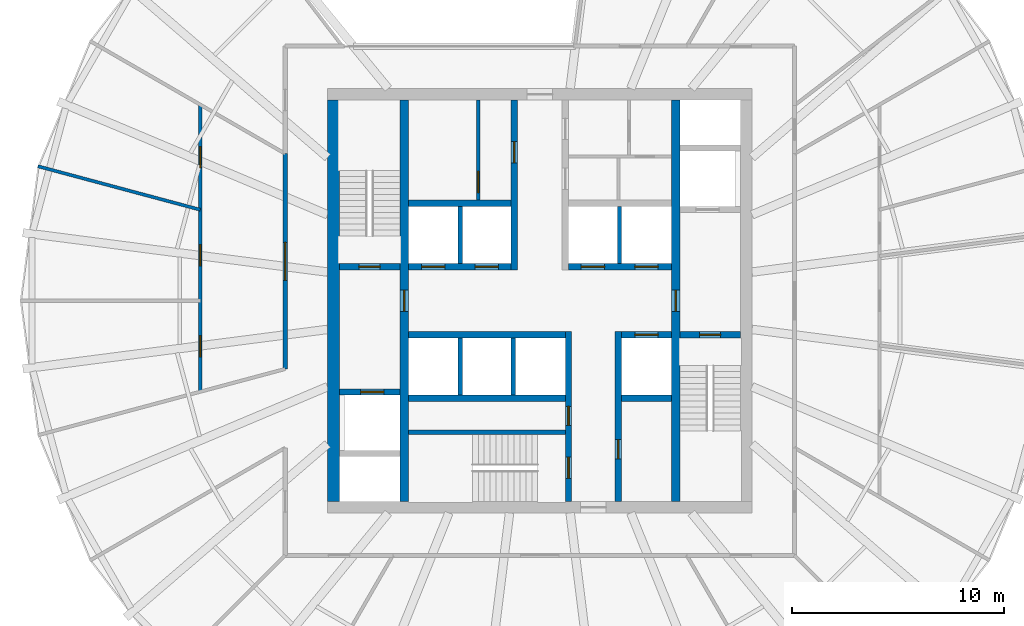
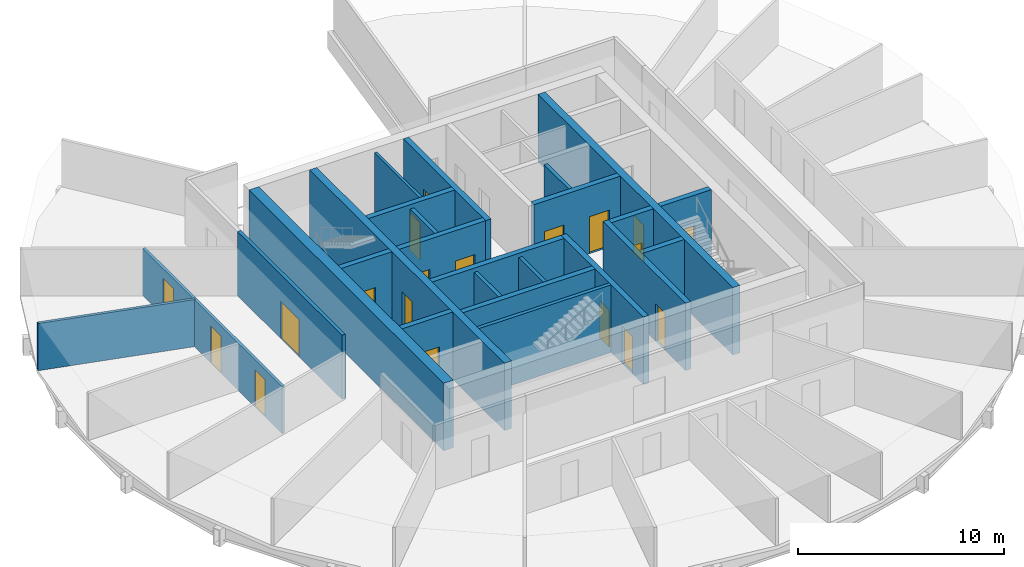
# One storey, part 3 of 6: 25 walls, 19 doors, 19 openings.
"""IFC4 building model written with IfcOpenShell, lengths in metres."""

from ifc_helpers import new_model, si_unit, direction, frame, frame_2d, origin, place, context, subcontext, project, spatial, rectangle, extrude, material, layer, layer_set, type_object, element, fill, save


model = new_model("IFC4")

# Units and contexts
model_context = context("Model", 3, precision=1e-05, world=origin(), true_north=direction((0.0, 1.0)))
body_context = subcontext(model_context, "Body", "Model", "MODEL_VIEW")
ifc_project = project(units=[si_unit("LENGTHUNIT", "METRE"), si_unit("AREAUNIT", "SQUARE_METRE"), si_unit("VOLUMEUNIT", "CUBIC_METRE"), si_unit("PLANEANGLEUNIT", "RADIAN"), si_unit("MASSUNIT", "GRAM", prefix="KILO")], contexts=[model_context])

# Site, building, storey
site_placement = place(None, origin())
site = spatial("IfcSite", under=ifc_project, at=site_placement, CompositionType="ELEMENT")
building_placement = place(site_placement, origin())
building = spatial("IfcBuilding", under=site, at=building_placement, Name="Golbaran Civic Tower", CompositionType="ELEMENT")
storey_placement = place(building_placement, frame((0.0, 0.0, 110.0)))
storey = spatial("IfcBuildingStorey", under=building, at=storey_placement, Name="L26", CompositionType="ELEMENT", Elevation=110.0)

# Wall, opening, door
ifc_material_1 = material(Name="Concrete C50/60", Category="concrete")
ifc_layer_1 = layer(ifc_material_1, 0.39990234375, Name="Concrete C50/60")
ifc_layer_set_1 = layer_set([ifc_layer_1], Name="Concrete C50/60")
wall_type_1 = type_object("IfcWallType", Name="CORE WALL CONCRETE 400", PredefinedType="SOLIDWALL", material=ifc_layer_set_1)
wall_1_placement = place(storey_placement, frame((-6.39990234375, -9.449951171875, 0.0), z_axis=(0.0, 0.0, 1.0), x_axis=(0.0, 1.0, 0.0)))
wall_1 = element("IfcWall", 1, at=wall_1_placement, inside=storey, type_object=wall_type_1, Name="Core wall IW L26", PredefinedType="SOLIDWALL", context=body_context, shape_type="SweptSolid", body=[
    extrude(rectangle(XDim=18.89990234375, YDim=0.39990234375, at=frame_2d((9.449951171875, 0.0))), origin(), (0.0, 0.0, 1.0), 4.0),
])
opening_1_placement = place(wall_1_placement, frame((8.949951171875, 0.0, 0.0)))
opening_1 = element("IfcOpeningElement", 2, at=opening_1_placement, cuts=wall_1, Name="Opening L26.FL1", PredefinedType="OPENING", context=body_context, shape_type="SweptSolid", body=[
    extrude(rectangle(XDim=1.0, YDim=2.199951171875, at=frame_2d((0.5, 1.10009765625))), frame((0.0, 0.2099609375, 0.0), z_axis=(0.0, -1.0, 0.0), x_axis=(1.0, 0.0, 0.0)), (0.0, 0.0, 1.0), 0.419921875),
])
ifc_material_2 = material(Name="Timber door set in steel frame", Category="steel")
door_type_1 = type_object("IfcDoorType", Name="STAIR DOOR 1000x2200", OperationType="SINGLE_SWING_LEFT", PredefinedType="DOOR", material=ifc_material_2)
door_1_placement = place(opening_1_placement, origin())
door_1 = element("IfcDoor", 3, at=door_1_placement, inside=storey, type_object=door_type_1, Name="Fire-fighting lobby FL1 door", OperationType="SINGLE_SWING_LEFT", OverallHeight=2.199951171875, OverallWidth=1.0, PredefinedType="DOOR", context=body_context, shape_type="SweptSolid", body=[
    extrude(rectangle(XDim=1.0, YDim=2.199951171875, at=frame_2d((0.5, 1.10009765625))), frame((0.0, 0.02490234375, 0.0), z_axis=(0.0, -1.0, 0.0), x_axis=(1.0, 0.0, 0.0)), (0.0, 0.0, 1.0), 0.050048828125),
])
fill(opening_1, door_1)

wall_2_placement = place(storey_placement, frame((6.39990234375, 9.449951171875, 0.0), z_axis=(0.0, 0.0, 1.0), x_axis=(0.0, -1.0, 0.0)))
wall_2 = element("IfcWall", 4, at=wall_2_placement, inside=storey, type_object=wall_type_1, Name="Core wall IE L26", PredefinedType="SOLIDWALL", context=body_context, shape_type="SweptSolid", body=[
    extrude(rectangle(XDim=18.89990234375, YDim=0.39990234375, at=frame_2d((9.449951171875, 0.0))), origin(), (0.0, 0.0, 1.0), 4.0),
])
opening_2_placement = place(wall_2_placement, frame((8.949951171875, 0.0, 0.0)))
opening_2 = element("IfcOpeningElement", 5, at=opening_2_placement, cuts=wall_2, Name="Opening L26.FL2", PredefinedType="OPENING", context=body_context, shape_type="SweptSolid", body=[
    extrude(rectangle(XDim=1.0, YDim=2.199951171875, at=frame_2d((0.5, 1.10009765625))), frame((0.0, 0.2099609375, 0.0), z_axis=(0.0, -1.0, 0.0), x_axis=(1.0, 0.0, 0.0)), (0.0, 0.0, 1.0), 0.419921875),
])
door_2_placement = place(opening_2_placement, origin())
door_2 = element("IfcDoor", 6, at=door_2_placement, inside=storey, type_object=door_type_1, Name="Fire-fighting lobby FL2 door", OperationType="SINGLE_SWING_RIGHT", OverallHeight=2.199951171875, OverallWidth=1.0, PredefinedType="DOOR", context=body_context, shape_type="SweptSolid", body=[
    extrude(rectangle(XDim=1.0, YDim=2.199951171875, at=frame_2d((0.5, 1.10009765625))), frame((0.0, 0.02490234375, 0.0), z_axis=(0.0, -1.0, 0.0), x_axis=(1.0, 0.0, 0.0)), (0.0, 0.0, 1.0), 0.050048828125),
])
fill(opening_2, door_2)

# Wall
ifc_layer_2 = layer(ifc_material_1, 0.550048828125, Name="Concrete C50/60")
ifc_layer_set_2 = layer_set([ifc_layer_2], Name="Concrete C50/60")
wall_type_2 = type_object("IfcWallType", Name="CORE WALL CONCRETE 550", PredefinedType="SOLIDWALL", material=ifc_layer_set_2)
wall_3_placement = place(storey_placement, frame((-9.72509765625, 9.449951171875, 0.0), z_axis=(0.0, 0.0, 1.0), x_axis=(0.0, -1.0, 0.0)))
element("IfcWall", 7, at=wall_3_placement, inside=storey, type_object=wall_type_2, Name="Core wall CW L26", PredefinedType="SOLIDWALL", context=body_context, shape_type="SweptSolid", body=[
    extrude(rectangle(XDim=18.89990234375, YDim=0.550048828125, at=frame_2d((9.449951171875, 0.0))), origin(), (0.0, 0.0, 1.0), 4.0),
])

# Wall, opening, door
ifc_material_3 = material(Name="Gypsum board on steel studs, fire-rated", Category="steel")
ifc_layer_3 = layer(ifc_material_3, 0.199951171875, Name="Gypsum board on steel studs, fire-rated")
ifc_layer_set_3 = layer_set([ifc_layer_3], Name="Gypsum board on steel studs, fire-rated")
wall_type_3 = type_object("IfcWallType", Name="CORRIDOR WALL 200", PredefinedType="PARTITIONING", material=ifc_layer_set_3)
wall_4_placement = place(storey_placement, frame((-12.0, 6.92822265625, 0.0), z_axis=(0.0, 0.0, 1.0), x_axis=(0.0, -1.0, 0.0)))
wall_4 = element("IfcWall", 8, at=wall_4_placement, inside=storey, type_object=wall_type_3, Name="Corridor wall L26", PredefinedType="PARTITIONING", context=body_context, shape_type="SweptSolid", body=[
    extrude(rectangle(XDim=10.1435546875, YDim=0.199951171875, at=frame_2d((5.07177734375, 0.0))), origin(), (0.0, 0.0, 1.0), 3.800048828125),
])
opening_3_placement = place(wall_4_placement, frame((4.171875, 0.0, 0.0)))
opening_3 = element("IfcOpeningElement", 9, at=opening_3_placement, cuts=wall_4, Name="Opening L26.19", PredefinedType="OPENING", context=body_context, shape_type="SweptSolid", body=[
    extrude(rectangle(XDim=1.800048828125, YDim=2.199951171875, at=frame_2d((0.89990234375, 1.10009765625))), frame((0.0, 0.10986328125, 0.0), z_axis=(0.0, -1.0, 0.0), x_axis=(1.0, 0.0, 0.0)), (0.0, 0.0, 1.0), 0.219970703125),
])
door_type_2 = type_object("IfcDoorType", Name="OFFICE DOUBLE DOOR 1800x2200", OperationType="DOUBLE_DOOR_SINGLE_SWING", PredefinedType="DOOR", material=ifc_material_2)
door_3_placement = place(opening_3_placement, origin())
door_3 = element("IfcDoor", 10, at=door_3_placement, inside=storey, type_object=door_type_2, Name="Secretariat door L26", OperationType="DOUBLE_DOOR_SINGLE_SWING", OverallHeight=2.199951171875, OverallWidth=1.800048828125, PredefinedType="DOOR", context=body_context, shape_type="SweptSolid", body=[
    extrude(rectangle(XDim=1.800048828125, YDim=2.199951171875, at=frame_2d((0.89990234375, 1.10009765625))), frame((0.0, 0.02490234375, 0.0), z_axis=(0.0, -1.0, 0.0), x_axis=(1.0, 0.0, 0.0)), (0.0, 0.0, 1.0), 0.050048828125),
])
fill(opening_3, door_3)

# Walls
ifc_material_4 = material(Name="Concrete block", Category="concrete")
ifc_layer_4 = layer(ifc_material_4, 0.199951171875, Name="Concrete block")
ifc_layer_set_4 = layer_set([ifc_layer_4], Name="Concrete block")
wall_type_4 = type_object("IfcWallType", Name="LIFT SEPARATOR WALL 200", PredefinedType="SOLIDWALL", material=ifc_layer_set_4)
for number, where, z_axis, x_axis, name in (
    (11, (-3.75, 1.75, 0.0), (0.0, 0.0, 1.0), (0.0, 1.0, 0.0), "Core partition SNW L26"),
    (12, (3.75, 1.75, 0.0), (0.0, 0.0, 1.0), (0.0, 1.0, 0.0), "Core partition SNE L26"),
    (13, (-3.75, -1.75, 0.0), (0.0, 0.0, 1.0), (0.0, -1.0, 0.0), "Core partition SSW L26"),
    (14, (-1.25, -1.75, 0.0), (0.0, 0.0, 1.0), (0.0, -1.0, 0.0), "Core partition SSM L26"),
):
    element("IfcWall", number, at=place(storey_placement, frame(where, z_axis=z_axis, x_axis=x_axis)), inside=storey, type_object=wall_type_4, Name=name, PredefinedType="SOLIDWALL", context=body_context, shape_type="SweptSolid", body=[
        extrude(rectangle(XDim=2.699951171875, YDim=0.199951171875, at=frame_2d((1.35009765625, 0.0))), origin(), (0.0, 0.0, 1.0), 3.75),
    ])

# Wall, openings, doors
ifc_material_5 = material(Name="Gypsum board on steel studs", Category="steel")
ifc_layer_5 = layer(ifc_material_5, 0.14990234375, Name="Gypsum board on steel studs")
ifc_layer_set_5 = layer_set([ifc_layer_5], Name="Gypsum board on steel studs")
wall_type_5 = type_object("IfcWallType", Name="OFFICE PARTITION 150", PredefinedType="PARTITIONING", material=ifc_layer_set_5)
wall_5_placement = place(storey_placement, frame((-16.0, 9.237548828125, 0.0), z_axis=(0.0, 0.0, 1.0), x_axis=(0.0, -1.0, 0.0)))
wall_5 = element("IfcWall", 15, at=wall_5_placement, inside=storey, type_object=wall_type_5, Name="Suite partition L26", PredefinedType="PARTITIONING", context=body_context, shape_type="SweptSolid", body=[
    extrude(rectangle(XDim=13.524658203125, YDim=0.14990234375, at=frame_2d((6.76220703125, 0.0))), origin(), (0.0, 0.0, 1.0), 2.7900390625),
])
opening_4_placement = place(wall_5_placement, frame((1.97509765625, 0.0, 0.0)))
opening_4 = element("IfcOpeningElement", 16, at=opening_4_placement, cuts=wall_5, Name="Opening L26.05", PredefinedType="OPENING", context=body_context, shape_type="SweptSolid", body=[
    extrude(rectangle(XDim=1.0, YDim=2.199951171875, at=frame_2d((0.5, 1.10009765625))), frame((0.0, 0.0849609375, 0.0), z_axis=(0.0, -1.0, 0.0), x_axis=(1.0, 0.0, 0.0)), (0.0, 0.0, 1.0), 0.169921875),
])
opening_5_placement = place(wall_5_placement, frame((6.593994140625, 0.0, 0.0)))
opening_5 = element("IfcOpeningElement", 17, at=opening_5_placement, cuts=wall_5, Name="Opening L26.06", PredefinedType="OPENING", context=body_context, shape_type="SweptSolid", body=[
    extrude(rectangle(XDim=1.0, YDim=2.199951171875, at=frame_2d((0.5, 1.10009765625))), frame((0.0, 0.0849609375, 0.0), z_axis=(0.0, -1.0, 0.0), x_axis=(1.0, 0.0, 0.0)), (0.0, 0.0, 1.0), 0.169921875),
])
opening_6_placement = place(wall_5_placement, frame((10.881103515625, 0.0, 0.0)))
opening_6 = element("IfcOpeningElement", 18, at=opening_6_placement, cuts=wall_5, Name="Opening L26.07", PredefinedType="OPENING", context=body_context, shape_type="SweptSolid", body=[
    extrude(rectangle(XDim=1.0, YDim=2.199951171875, at=frame_2d((0.5, 1.10009765625))), frame((0.0, 0.0849609375, 0.0), z_axis=(0.0, -1.0, 0.0), x_axis=(1.0, 0.0, 0.0)), (0.0, 0.0, 1.0), 0.169921875),
])
door_type_3 = type_object("IfcDoorType", Name="OFFICE DOOR 1000x2200", OperationType="SINGLE_SWING_LEFT", PredefinedType="DOOR", material=ifc_material_2)
door_4_placement = place(opening_4_placement, origin())
door_4 = element("IfcDoor", 19, at=door_4_placement, inside=storey, type_object=door_type_3, Name="Office door L26", OperationType="SINGLE_SWING_LEFT", OverallHeight=2.199951171875, OverallWidth=1.0, PredefinedType="DOOR", context=body_context, shape_type="SweptSolid", body=[
    extrude(rectangle(XDim=1.0, YDim=2.199951171875, at=frame_2d((0.5, 1.10009765625))), frame((0.0, 0.02490234375, 0.0), z_axis=(0.0, -1.0, 0.0), x_axis=(1.0, 0.0, 0.0)), (0.0, 0.0, 1.0), 0.050048828125),
])
fill(opening_4, door_4)
door_5_placement = place(opening_5_placement, origin())
door_5 = element("IfcDoor", 20, at=door_5_placement, inside=storey, type_object=door_type_3, Name="Director's Office door L26", OperationType="SINGLE_SWING_RIGHT", OverallHeight=2.199951171875, OverallWidth=1.0, PredefinedType="DOOR", context=body_context, shape_type="SweptSolid", body=[
    extrude(rectangle(XDim=1.0, YDim=2.199951171875, at=frame_2d((0.5, 1.10009765625))), frame((0.0, 0.02490234375, 0.0), z_axis=(0.0, -1.0, 0.0), x_axis=(1.0, 0.0, 0.0)), (0.0, 0.0, 1.0), 0.050048828125),
])
fill(opening_5, door_5)
door_6_placement = place(opening_6_placement, origin())
door_6 = element("IfcDoor", 21, at=door_6_placement, inside=storey, type_object=door_type_3, Name="Director's Office door L26", OperationType="SINGLE_SWING_RIGHT", OverallHeight=2.199951171875, OverallWidth=1.0, PredefinedType="DOOR", context=body_context, shape_type="SweptSolid", body=[
    extrude(rectangle(XDim=1.0, YDim=2.199951171875, at=frame_2d((0.5, 1.10009765625))), frame((0.0, 0.02490234375, 0.0), z_axis=(0.0, -1.0, 0.0), x_axis=(1.0, 0.0, 0.0)), (0.0, 0.0, 1.0), 0.050048828125),
])
fill(opening_6, door_6)

# Walls
wall_6_placement = place(storey_placement, frame((-16.0, 4.287109375, 0.0), z_axis=(0.0, 0.0, 1.0), x_axis=(-0.965926869261, 0.258815152648, 0.0)))
element("IfcWall", 22, at=wall_6_placement, inside=storey, type_object=wall_type_5, Name="Partition 165 L26", PredefinedType="PARTITIONING", context=body_context, shape_type="SweptSolid", body=[
    extrude(rectangle(XDim=7.9228515625, YDim=0.14990234375, at=frame_2d((3.96142578125, 0.0))), origin(), (0.0, 0.0, 1.0), 2.7900390625),
])
ifc_layer_6 = layer(ifc_material_1, 0.199951171875, Name="Concrete C50/60")
ifc_layer_set_6 = layer_set([ifc_layer_6], Name="Concrete C50/60")
wall_type_6 = type_object("IfcWallType", Name="SHAFT WALL CONCRETE 200", PredefinedType="SOLIDWALL", material=ifc_layer_set_6)
wall_7_placement = place(storey_placement, frame((-6.199951171875, -6.199951171875, 0.0), z_axis=(0.0, 0.0, 1.0), x_axis=(1.0, 0.0, 0.0)))
element("IfcWall", 23, at=wall_7_placement, inside=storey, type_object=wall_type_6, Name="Core wall S3N L26", PredefinedType="SOLIDWALL", context=body_context, shape_type="SweptSolid", body=[
    extrude(rectangle(XDim=7.39990234375, YDim=0.199951171875, at=frame_2d((3.699951171875, 0.0))), origin(), (0.0, 0.0, 1.0), 4.0),
])

# Wall, openings, doors
ifc_layer_7 = layer(ifc_material_1, 0.300048828125, Name="Concrete C50/60")
ifc_layer_set_7 = layer_set([ifc_layer_7], Name="Concrete C50/60")
wall_type_7 = type_object("IfcWallType", Name="SHAFT WALL CONCRETE 300", PredefinedType="SOLIDWALL", material=ifc_layer_set_7)
wall_8_placement = place(storey_placement, frame((-6.199951171875, 1.60009765625, 0.0), z_axis=(0.0, 0.0, 1.0), x_axis=(1.0, 0.0, 0.0)))
wall_8 = element("IfcWall", 24, at=wall_8_placement, inside=storey, type_object=wall_type_7, Name="Core wall FNW L26", PredefinedType="SOLIDWALL", context=body_context, shape_type="SweptSolid", body=[
    extrude(rectangle(XDim=4.849853515625, YDim=0.300048828125, at=frame_2d((2.4248046875, 0.0))), origin(), (0.0, 0.0, 1.0), 4.0),
])
opening_7_placement = place(wall_8_placement, frame((0.625, 0.0, 0.0)))
opening_7 = element("IfcOpeningElement", 25, at=opening_7_placement, cuts=wall_8, Name="Opening L26.LD-Z1M", PredefinedType="OPENING", context=body_context, shape_type="SweptSolid", body=[
    extrude(rectangle(XDim=1.10009765625, YDim=2.199951171875, at=frame_2d((0.550048828125, 1.10009765625))), frame((0.0, 0.159912109375, 0.0), z_axis=(0.0, -1.0, 0.0), x_axis=(1.0, 0.0, 0.0)), (0.0, 0.0, 1.0), 0.320068359375),
])
opening_8_placement = place(wall_8_placement, frame((3.14990234375, 0.0, 0.0)))
opening_8 = element("IfcOpeningElement", 26, at=opening_8_placement, cuts=wall_8, Name="Opening L26.LD-Z2M", PredefinedType="OPENING", context=body_context, shape_type="SweptSolid", body=[
    extrude(rectangle(XDim=1.10009765625, YDim=2.199951171875, at=frame_2d((0.550048828125, 1.10009765625))), frame((0.0, 0.159912109375, 0.0), z_axis=(0.0, -1.0, 0.0), x_axis=(1.0, 0.0, 0.0)), (0.0, 0.0, 1.0), 0.320068359375),
])
ifc_material_6 = material(Name="Stainless steel", Category="steel")
door_type_4 = type_object("IfcDoorType", Name="LIFT LANDING DOOR 1100x2200", OperationType="SLIDING_TO_LEFT", PredefinedType="DOOR", material=ifc_material_6)
door_7_placement = place(opening_7_placement, origin())
door_7 = element("IfcDoor", 27, at=door_7_placement, inside=storey, type_object=door_type_4, Name="Lift landing door Z1M", OperationType="SLIDING_TO_LEFT", OverallHeight=2.199951171875, OverallWidth=1.10009765625, PredefinedType="DOOR", context=body_context, shape_type="SweptSolid", body=[
    extrude(rectangle(XDim=1.10009765625, YDim=2.199951171875, at=frame_2d((0.550048828125, 1.10009765625))), frame((0.0, 0.02490234375, 0.0), z_axis=(0.0, -1.0, 0.0), x_axis=(1.0, 0.0, 0.0)), (0.0, 0.0, 1.0), 0.050048828125),
])
fill(opening_7, door_7)
door_8_placement = place(opening_8_placement, origin())
door_8 = element("IfcDoor", 28, at=door_8_placement, inside=storey, type_object=door_type_4, Name="Lift landing door Z2M", OperationType="SLIDING_TO_LEFT", OverallHeight=2.199951171875, OverallWidth=1.10009765625, PredefinedType="DOOR", context=body_context, shape_type="SweptSolid", body=[
    extrude(rectangle(XDim=1.10009765625, YDim=2.199951171875, at=frame_2d((0.550048828125, 1.10009765625))), frame((0.0, 0.02490234375, 0.0), z_axis=(0.0, -1.0, 0.0), x_axis=(1.0, 0.0, 0.0)), (0.0, 0.0, 1.0), 0.050048828125),
])
fill(opening_8, door_8)

wall_9_placement = place(storey_placement, frame((1.35009765625, 1.60009765625, 0.0), z_axis=(0.0, 0.0, 1.0), x_axis=(1.0, 0.0, 0.0)))
wall_9 = element("IfcWall", 29, at=wall_9_placement, inside=storey, type_object=wall_type_7, Name="Core wall FNE L26", PredefinedType="SOLIDWALL", context=body_context, shape_type="SweptSolid", body=[
    extrude(rectangle(XDim=4.849853515625, YDim=0.300048828125, at=frame_2d((2.4248046875, 0.0))), origin(), (0.0, 0.0, 1.0), 4.0),
])
opening_9_placement = place(wall_9_placement, frame((0.60009765625, 0.0, 0.0)))
opening_9 = element("IfcOpeningElement", 30, at=opening_9_placement, cuts=wall_9, Name="Opening L26.LD-Z3M", PredefinedType="OPENING", context=body_context, shape_type="SweptSolid", body=[
    extrude(rectangle(XDim=1.10009765625, YDim=2.199951171875, at=frame_2d((0.550048828125, 1.10009765625))), frame((0.0, 0.159912109375, 0.0), z_axis=(0.0, -1.0, 0.0), x_axis=(1.0, 0.0, 0.0)), (0.0, 0.0, 1.0), 0.320068359375),
])
opening_10_placement = place(wall_9_placement, frame((3.125, 0.0, 0.0)))
opening_10 = element("IfcOpeningElement", 31, at=opening_10_placement, cuts=wall_9, Name="Opening L26.LD-Z4M", PredefinedType="OPENING", context=body_context, shape_type="SweptSolid", body=[
    extrude(rectangle(XDim=1.10009765625, YDim=2.199951171875, at=frame_2d((0.550048828125, 1.10009765625))), frame((0.0, 0.159912109375, 0.0), z_axis=(0.0, -1.0, 0.0), x_axis=(1.0, 0.0, 0.0)), (0.0, 0.0, 1.0), 0.320068359375),
])
door_9_placement = place(opening_9_placement, origin())
door_9 = element("IfcDoor", 32, at=door_9_placement, inside=storey, type_object=door_type_4, Name="Lift landing door Z3M", OperationType="SLIDING_TO_LEFT", OverallHeight=2.199951171875, OverallWidth=1.10009765625, PredefinedType="DOOR", context=body_context, shape_type="SweptSolid", body=[
    extrude(rectangle(XDim=1.10009765625, YDim=2.199951171875, at=frame_2d((0.550048828125, 1.10009765625))), frame((0.0, 0.02490234375, 0.0), z_axis=(0.0, -1.0, 0.0), x_axis=(1.0, 0.0, 0.0)), (0.0, 0.0, 1.0), 0.050048828125),
])
fill(opening_9, door_9)
door_10_placement = place(opening_10_placement, origin())
door_10 = element("IfcDoor", 33, at=door_10_placement, inside=storey, type_object=door_type_4, Name="Lift landing door Z4M", OperationType="SLIDING_TO_LEFT", OverallHeight=2.199951171875, OverallWidth=1.10009765625, PredefinedType="DOOR", context=body_context, shape_type="SweptSolid", body=[
    extrude(rectangle(XDim=1.10009765625, YDim=2.199951171875, at=frame_2d((0.550048828125, 1.10009765625))), frame((0.0, 0.02490234375, 0.0), z_axis=(0.0, -1.0, 0.0), x_axis=(1.0, 0.0, 0.0)), (0.0, 0.0, 1.0), 0.050048828125),
])
fill(opening_10, door_10)

# Wall
wall_10_placement = place(storey_placement, frame((-6.199951171875, 4.60009765625, 0.0), z_axis=(0.0, 0.0, 1.0), x_axis=(1.0, 0.0, 0.0)))
element("IfcWall", 34, at=wall_10_placement, inside=storey, type_object=wall_type_7, Name="Core wall BNW L26", PredefinedType="SOLIDWALL", context=body_context, shape_type="SweptSolid", body=[
    extrude(rectangle(XDim=4.849853515625, YDim=0.300048828125, at=frame_2d((2.4248046875, 0.0))), origin(), (0.0, 0.0, 1.0), 4.0),
])

# Wall, opening, door
wall_11_placement = place(storey_placement, frame((-1.199951171875, 1.449951171875, 0.0), z_axis=(0.0, 0.0, 1.0), x_axis=(0.0, 1.0, 0.0)))
wall_11 = element("IfcWall", 35, at=wall_11_placement, inside=storey, type_object=wall_type_7, Name="Core wall PNW L26", PredefinedType="SOLIDWALL", context=body_context, shape_type="SweptSolid", body=[
    extrude(rectangle(XDim=8.0, YDim=0.300048828125, at=frame_2d((4.0, 0.0))), origin(), (0.0, 0.0, 1.0), 4.0),
])
opening_11_placement = place(wall_11_placement, frame((5.050048828125, 0.0, 0.0)))
opening_11 = element("IfcOpeningElement", 36, at=opening_11_placement, cuts=wall_11, Name="Opening L26.WCM", PredefinedType="OPENING", context=body_context, shape_type="SweptSolid", body=[
    extrude(rectangle(XDim=1.0, YDim=2.199951171875, at=frame_2d((0.5, 1.10009765625))), frame((0.0, 0.159912109375, 0.0), z_axis=(0.0, -1.0, 0.0), x_axis=(1.0, 0.0, 0.0)), (0.0, 0.0, 1.0), 0.320068359375),
])
door_type_5 = type_object("IfcDoorType", Name="TOILET DOOR 1000x2200", OperationType="SINGLE_SWING_LEFT", PredefinedType="DOOR", material=ifc_material_2)
door_11_placement = place(opening_11_placement, origin())
door_11 = element("IfcDoor", 37, at=door_11_placement, inside=storey, type_object=door_type_5, Name="North-west toilet block door", OperationType="SINGLE_SWING_RIGHT", OverallHeight=2.199951171875, OverallWidth=1.0, PredefinedType="DOOR", context=body_context, shape_type="SweptSolid", body=[
    extrude(rectangle(XDim=1.0, YDim=2.199951171875, at=frame_2d((0.5, 1.10009765625))), frame((0.0, 0.02490234375, 0.0), z_axis=(0.0, -1.0, 0.0), x_axis=(1.0, 0.0, 0.0)), (0.0, 0.0, 1.0), 0.050048828125),
])
fill(opening_11, door_11)

# Wall
wall_12_placement = place(storey_placement, frame((-6.199951171875, -1.60009765625, 0.0), z_axis=(0.0, 0.0, 1.0), x_axis=(1.0, 0.0, 0.0)))
element("IfcWall", 38, at=wall_12_placement, inside=storey, type_object=wall_type_7, Name="Core wall FSW L26", PredefinedType="SOLIDWALL", context=body_context, shape_type="SweptSolid", body=[
    extrude(rectangle(XDim=7.39990234375, YDim=0.300048828125, at=frame_2d((3.699951171875, 0.0))), origin(), (0.0, 0.0, 1.0), 4.0),
])

# Wall, opening, door
wall_13_placement = place(storey_placement, frame((3.85009765625, -1.60009765625, 0.0), z_axis=(0.0, 0.0, 1.0), x_axis=(1.0, 0.0, 0.0)))
wall_13 = element("IfcWall", 39, at=wall_13_placement, inside=storey, type_object=wall_type_7, Name="Core wall FSE L26", PredefinedType="SOLIDWALL", context=body_context, shape_type="SweptSolid", body=[
    extrude(rectangle(XDim=2.349853515625, YDim=0.300048828125, at=frame_2d((1.1748046875, 0.0))), origin(), (0.0, 0.0, 1.0), 4.0),
])
opening_12_placement = place(wall_13_placement, frame((0.625, 0.0, 0.0)))
opening_12 = element("IfcOpeningElement", 40, at=opening_12_placement, cuts=wall_13, Name="Opening L26.LD-V1", PredefinedType="OPENING", context=body_context, shape_type="SweptSolid", body=[
    extrude(rectangle(XDim=1.10009765625, YDim=2.199951171875, at=frame_2d((0.550048828125, 1.10009765625))), frame((0.0, 0.159912109375, 0.0), z_axis=(0.0, -1.0, 0.0), x_axis=(1.0, 0.0, 0.0)), (0.0, 0.0, 1.0), 0.320068359375),
])
door_12_placement = place(opening_12_placement, origin())
door_12 = element("IfcDoor", 41, at=door_12_placement, inside=storey, type_object=door_type_4, Name="Lift landing door V1", OperationType="SLIDING_TO_LEFT", OverallHeight=2.199951171875, OverallWidth=1.10009765625, PredefinedType="DOOR", context=body_context, shape_type="SweptSolid", body=[
    extrude(rectangle(XDim=1.10009765625, YDim=2.199951171875, at=frame_2d((0.550048828125, 1.10009765625))), frame((0.0, 0.02490234375, 0.0), z_axis=(0.0, -1.0, 0.0), x_axis=(1.0, 0.0, 0.0)), (0.0, 0.0, 1.0), 0.050048828125),
])
fill(opening_12, door_12)

# Walls
wall_14_placement = place(storey_placement, frame((-6.199951171875, -4.60009765625, 0.0), z_axis=(0.0, 0.0, 1.0), x_axis=(1.0, 0.0, 0.0)))
element("IfcWall", 42, at=wall_14_placement, inside=storey, type_object=wall_type_7, Name="Core wall BSW L26", PredefinedType="SOLIDWALL", context=body_context, shape_type="SweptSolid", body=[
    extrude(rectangle(XDim=7.39990234375, YDim=0.300048828125, at=frame_2d((3.699951171875, 0.0))), origin(), (0.0, 0.0, 1.0), 4.0),
])
wall_15_placement = place(storey_placement, frame((3.85009765625, -4.60009765625, 0.0), z_axis=(0.0, 0.0, 1.0), x_axis=(1.0, 0.0, 0.0)))
element("IfcWall", 43, at=wall_15_placement, inside=storey, type_object=wall_type_7, Name="Core wall BSE L26", PredefinedType="SOLIDWALL", context=body_context, shape_type="SweptSolid", body=[
    extrude(rectangle(XDim=2.349853515625, YDim=0.300048828125, at=frame_2d((1.1748046875, 0.0))), origin(), (0.0, 0.0, 1.0), 4.0),
])

# Wall, openings, doors
wall_16_placement = place(storey_placement, frame((1.35009765625, -1.449951171875, 0.0), z_axis=(0.0, 0.0, 1.0), x_axis=(0.0, -1.0, 0.0)))
wall_16 = element("IfcWall", 44, at=wall_16_placement, inside=storey, type_object=wall_type_7, Name="Core wall PSW L26", PredefinedType="SOLIDWALL", context=body_context, shape_type="SweptSolid", body=[
    extrude(rectangle(XDim=8.0, YDim=0.300048828125, at=frame_2d((4.0, 0.0))), origin(), (0.0, 0.0, 1.0), 4.0),
])
opening_13_placement = place(wall_16_placement, frame((5.925048828125, 0.0, 0.0)))
opening_13 = element("IfcOpeningElement", 45, at=opening_13_placement, cuts=wall_16, Name="Opening L26.S3", PredefinedType="OPENING", context=body_context, shape_type="SweptSolid", body=[
    extrude(rectangle(XDim=1.0, YDim=2.199951171875, at=frame_2d((0.5, 1.10009765625))), frame((0.0, 0.159912109375, 0.0), z_axis=(0.0, -1.0, 0.0), x_axis=(1.0, 0.0, 0.0)), (0.0, 0.0, 1.0), 0.320068359375),
])
opening_14_placement = place(wall_16_placement, frame((3.52490234375, 0.0, 0.0)))
opening_14 = element("IfcOpeningElement", 46, at=opening_14_placement, cuts=wall_16, Name="Opening L26.RE", PredefinedType="OPENING", context=body_context, shape_type="SweptSolid", body=[
    extrude(rectangle(XDim=0.89990234375, YDim=2.199951171875, at=frame_2d((0.449951171875, 1.10009765625))), frame((0.0, 0.159912109375, 0.0), z_axis=(0.0, -1.0, 0.0), x_axis=(1.0, 0.0, 0.0)), (0.0, 0.0, 1.0), 0.320068359375),
])
door_type_6 = type_object("IfcDoorType", Name="RISER DOOR 900x2200", OperationType="SINGLE_SWING_LEFT", PredefinedType="DOOR", material=ifc_material_2)
door_13_placement = place(opening_14_placement, origin())
door_13 = element("IfcDoor", 47, at=door_13_placement, inside=storey, type_object=door_type_6, Name="Electrical riser door", OperationType="SINGLE_SWING_LEFT", OverallHeight=2.199951171875, OverallWidth=0.89990234375, PredefinedType="DOOR", context=body_context, shape_type="SweptSolid", body=[
    extrude(rectangle(XDim=0.89990234375, YDim=2.199951171875, at=frame_2d((0.449951171875, 1.10009765625))), frame((0.0, 0.02490234375, 0.0), z_axis=(0.0, -1.0, 0.0), x_axis=(1.0, 0.0, 0.0)), (0.0, 0.0, 1.0), 0.050048828125),
])
fill(opening_14, door_13)
door_14_placement = place(opening_13_placement, origin())
door_14 = element("IfcDoor", 48, at=door_14_placement, inside=storey, type_object=door_type_1, Name="Stair S3 door", OperationType="SINGLE_SWING_RIGHT", OverallHeight=2.199951171875, OverallWidth=1.0, PredefinedType="DOOR", context=body_context, shape_type="SweptSolid", body=[
    extrude(rectangle(XDim=1.0, YDim=2.199951171875, at=frame_2d((0.5, 1.10009765625))), frame((0.0, 0.02490234375, 0.0), z_axis=(0.0, -1.0, 0.0), x_axis=(1.0, 0.0, 0.0)), (0.0, 0.0, 1.0), 0.050048828125),
])
fill(opening_13, door_14)

# Wall, opening, door
wall_17_placement = place(storey_placement, frame((3.699951171875, -1.449951171875, 0.0), z_axis=(0.0, 0.0, 1.0), x_axis=(0.0, -1.0, 0.0)))
wall_17 = element("IfcWall", 49, at=wall_17_placement, inside=storey, type_object=wall_type_7, Name="Core wall PSE L26", PredefinedType="SOLIDWALL", context=body_context, shape_type="SweptSolid", body=[
    extrude(rectangle(XDim=8.0, YDim=0.300048828125, at=frame_2d((4.0, 0.0))), origin(), (0.0, 0.0, 1.0), 4.0),
])
opening_15_placement = place(wall_17_placement, frame((5.10009765625, 0.0, 0.0)))
opening_15 = element("IfcOpeningElement", 50, at=opening_15_placement, cuts=wall_17, Name="Opening L26.RM", PredefinedType="OPENING", context=body_context, shape_type="SweptSolid", body=[
    extrude(rectangle(XDim=0.89990234375, YDim=2.199951171875, at=frame_2d((0.449951171875, 1.10009765625))), frame((0.0, 0.159912109375, 0.0), z_axis=(0.0, -1.0, 0.0), x_axis=(1.0, 0.0, 0.0)), (0.0, 0.0, 1.0), 0.320068359375),
])
door_15_placement = place(opening_15_placement, origin())
door_15 = element("IfcDoor", 51, at=door_15_placement, inside=storey, type_object=door_type_6, Name="Mechanical riser door", OperationType="SINGLE_SWING_RIGHT", OverallHeight=2.199951171875, OverallWidth=0.89990234375, PredefinedType="DOOR", context=body_context, shape_type="SweptSolid", body=[
    extrude(rectangle(XDim=0.89990234375, YDim=2.199951171875, at=frame_2d((0.449951171875, 1.10009765625))), frame((0.0, 0.02490234375, 0.0), z_axis=(0.0, -1.0, 0.0), x_axis=(1.0, 0.0, 0.0)), (0.0, 0.0, 1.0), 0.050048828125),
])
fill(opening_15, door_15)

wall_18_placement = place(storey_placement, frame((-9.449951171875, 1.60009765625, 0.0), z_axis=(0.0, 0.0, 1.0), x_axis=(1.0, 0.0, 0.0)))
wall_18 = element("IfcWall", 52, at=wall_18_placement, inside=storey, type_object=wall_type_7, Name="Core wall XW1 L26", PredefinedType="SOLIDWALL", context=body_context, shape_type="SweptSolid", body=[
    extrude(rectangle(XDim=2.849853515625, YDim=0.300048828125, at=frame_2d((1.4248046875, 0.0))), origin(), (0.0, 0.0, 1.0), 4.0),
])
opening_16_placement = place(wall_18_placement, frame((0.925048828125, 0.0, 0.0)))
opening_16 = element("IfcOpeningElement", 53, at=opening_16_placement, cuts=wall_18, Name="Opening L26.S1", PredefinedType="OPENING", context=body_context, shape_type="SweptSolid", body=[
    extrude(rectangle(XDim=1.0, YDim=2.199951171875, at=frame_2d((0.5, 1.10009765625))), frame((0.0, 0.159912109375, 0.0), z_axis=(0.0, -1.0, 0.0), x_axis=(1.0, 0.0, 0.0)), (0.0, 0.0, 1.0), 0.320068359375),
])
door_16_placement = place(opening_16_placement, origin())
door_16 = element("IfcDoor", 54, at=door_16_placement, inside=storey, type_object=door_type_1, Name="Stair S1 door", OperationType="SINGLE_SWING_LEFT", OverallHeight=2.199951171875, OverallWidth=1.0, PredefinedType="DOOR", context=body_context, shape_type="SweptSolid", body=[
    extrude(rectangle(XDim=1.0, YDim=2.199951171875, at=frame_2d((0.5, 1.10009765625))), frame((0.0, 0.02490234375, 0.0), z_axis=(0.0, -1.0, 0.0), x_axis=(1.0, 0.0, 0.0)), (0.0, 0.0, 1.0), 0.050048828125),
])
fill(opening_16, door_16)

wall_19_placement = place(storey_placement, frame((6.60009765625, -1.60009765625, 0.0), z_axis=(0.0, 0.0, 1.0), x_axis=(1.0, 0.0, 0.0)))
wall_19 = element("IfcWall", 55, at=wall_19_placement, inside=storey, type_object=wall_type_7, Name="Core wall XE1 L26", PredefinedType="SOLIDWALL", context=body_context, shape_type="SweptSolid", body=[
    extrude(rectangle(XDim=2.849853515625, YDim=0.300048828125, at=frame_2d((1.4248046875, 0.0))), origin(), (0.0, 0.0, 1.0), 4.0),
])
opening_17_placement = place(wall_19_placement, frame((0.925048828125, 0.0, 0.0)))
opening_17 = element("IfcOpeningElement", 56, at=opening_17_placement, cuts=wall_19, Name="Opening L26.S2", PredefinedType="OPENING", context=body_context, shape_type="SweptSolid", body=[
    extrude(rectangle(XDim=1.0, YDim=2.199951171875, at=frame_2d((0.5, 1.10009765625))), frame((0.0, 0.159912109375, 0.0), z_axis=(0.0, -1.0, 0.0), x_axis=(1.0, 0.0, 0.0)), (0.0, 0.0, 1.0), 0.320068359375),
])
door_17_placement = place(opening_17_placement, origin())
door_17 = element("IfcDoor", 57, at=door_17_placement, inside=storey, type_object=door_type_1, Name="Stair S2 door", OperationType="SINGLE_SWING_LEFT", OverallHeight=2.199951171875, OverallWidth=1.0, PredefinedType="DOOR", context=body_context, shape_type="SweptSolid", body=[
    extrude(rectangle(XDim=1.0, YDim=2.199951171875, at=frame_2d((0.5, 1.10009765625))), frame((0.0, 0.02490234375, 0.0), z_axis=(0.0, -1.0, 0.0), x_axis=(1.0, 0.0, 0.0)), (0.0, 0.0, 1.0), 0.050048828125),
])
fill(opening_17, door_17)

wall_20_placement = place(storey_placement, frame((-9.449951171875, -4.300048828125, 0.0), z_axis=(0.0, 0.0, 1.0), x_axis=(1.0, 0.0, 0.0)))
wall_20 = element("IfcWall", 58, at=wall_20_placement, inside=storey, type_object=wall_type_7, Name="Core wall XW2 L26", PredefinedType="SOLIDWALL", context=body_context, shape_type="SweptSolid", body=[
    extrude(rectangle(XDim=2.849853515625, YDim=0.300048828125, at=frame_2d((1.4248046875, 0.0))), origin(), (0.0, 0.0, 1.0), 4.0),
])
opening_18_placement = place(wall_20_placement, frame((1.0, 0.0, 0.0)))
opening_18 = element("IfcOpeningElement", 59, at=opening_18_placement, cuts=wall_20, Name="Opening L26.LD-F1", PredefinedType="OPENING", context=body_context, shape_type="SweptSolid", body=[
    extrude(rectangle(XDim=1.10009765625, YDim=2.199951171875, at=frame_2d((0.550048828125, 1.10009765625))), frame((0.0, 0.159912109375, 0.0), z_axis=(0.0, -1.0, 0.0), x_axis=(1.0, 0.0, 0.0)), (0.0, 0.0, 1.0), 0.320068359375),
])
door_18_placement = place(opening_18_placement, origin())
door_18 = element("IfcDoor", 60, at=door_18_placement, inside=storey, type_object=door_type_4, Name="Lift landing door F1", OperationType="SLIDING_TO_LEFT", OverallHeight=2.199951171875, OverallWidth=1.10009765625, PredefinedType="DOOR", context=body_context, shape_type="SweptSolid", body=[
    extrude(rectangle(XDim=1.10009765625, YDim=2.199951171875, at=frame_2d((0.550048828125, 1.10009765625))), frame((0.0, 0.02490234375, 0.0), z_axis=(0.0, -1.0, 0.0), x_axis=(1.0, 0.0, 0.0)), (0.0, 0.0, 1.0), 0.050048828125),
])
fill(opening_18, door_18)

ifc_material_7 = material(Name="Moisture-resistant gypsum board on steel studs", Category="steel")
ifc_layer_8 = layer(ifc_material_7, 0.14990234375, Name="Moisture-resistant gypsum board on steel studs")
ifc_layer_set_8 = layer_set([ifc_layer_8], Name="Moisture-resistant gypsum board on steel studs")
wall_type_8 = type_object("IfcWallType", Name="TOILET BLOCK PARTITION 150", PredefinedType="PARTITIONING", material=ifc_layer_set_8)
wall_21_placement = place(storey_placement, frame((-2.89990234375, 4.75, 0.0), z_axis=(0.0, 0.0, 1.0), x_axis=(0.0, 1.0, 0.0)))
wall_21 = element("IfcWall", 61, at=wall_21_placement, inside=storey, type_object=wall_type_8, Name="Toilet block partition MWL L26", PredefinedType="PARTITIONING", context=body_context, shape_type="SweptSolid", body=[
    extrude(rectangle(XDim=4.699951171875, YDim=0.14990234375, at=frame_2d((2.35009765625, 0.0))), origin(), (0.0, 0.0, 1.0), 3.75),
])
opening_19_placement = place(wall_21_placement, frame((0.35009765625, 0.0, 0.0)))
opening_19 = element("IfcOpeningElement", 62, at=opening_19_placement, cuts=wall_21, Name="Opening L26.25", PredefinedType="OPENING", context=body_context, shape_type="SweptSolid", body=[
    extrude(rectangle(XDim=1.0, YDim=2.199951171875, at=frame_2d((0.5, 1.10009765625))), frame((0.0, 0.0849609375, 0.0), z_axis=(0.0, -1.0, 0.0), x_axis=(1.0, 0.0, 0.0)), (0.0, 0.0, 1.0), 0.169921875),
])
door_19_placement = place(opening_19_placement, origin())
door_19 = element("IfcDoor", 63, at=door_19_placement, inside=storey, type_object=door_type_5, Name="Male WC door", OperationType="SINGLE_SWING_LEFT", OverallHeight=2.199951171875, OverallWidth=1.0, PredefinedType="DOOR", context=body_context, shape_type="SweptSolid", body=[
    extrude(rectangle(XDim=1.0, YDim=2.199951171875, at=frame_2d((0.5, 1.10009765625))), frame((0.0, 0.02490234375, 0.0), z_axis=(0.0, -1.0, 0.0), x_axis=(1.0, 0.0, 0.0)), (0.0, 0.0, 1.0), 0.050048828125),
])
fill(opening_19, door_19)

save(model, "model.ifc")
